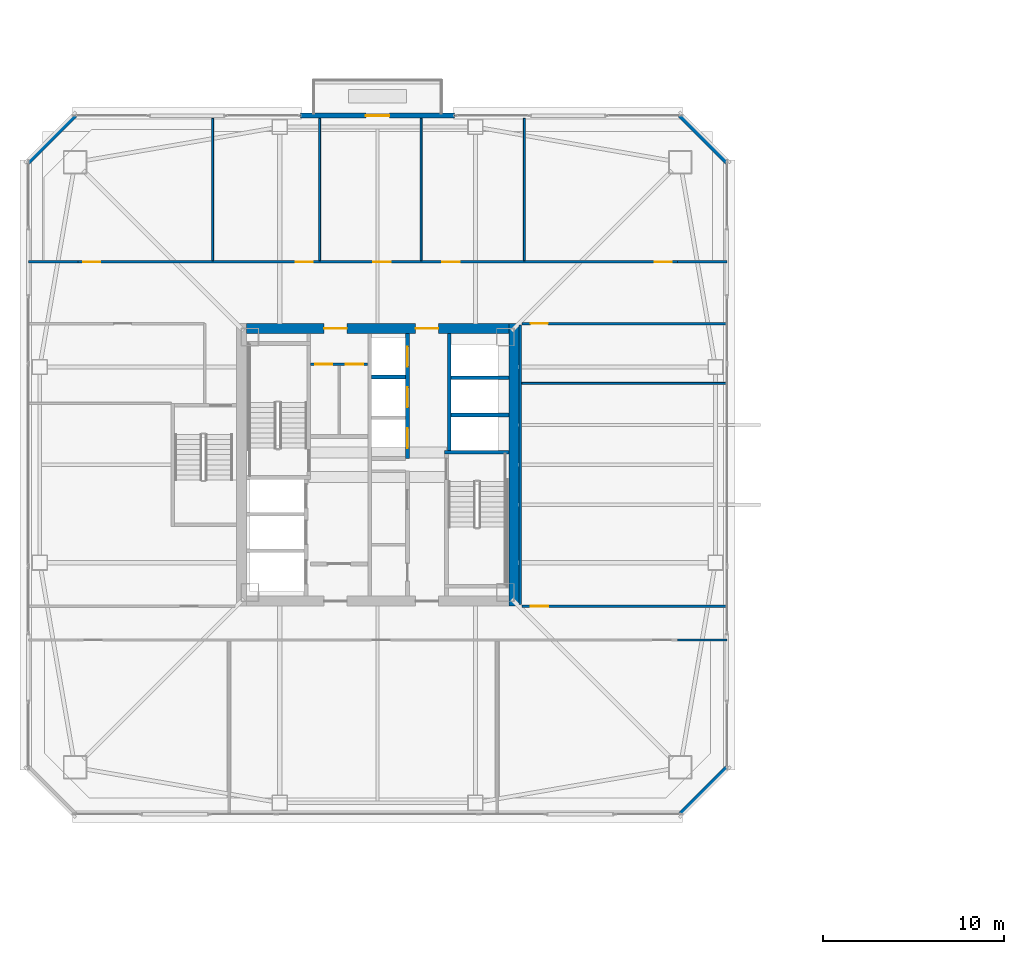
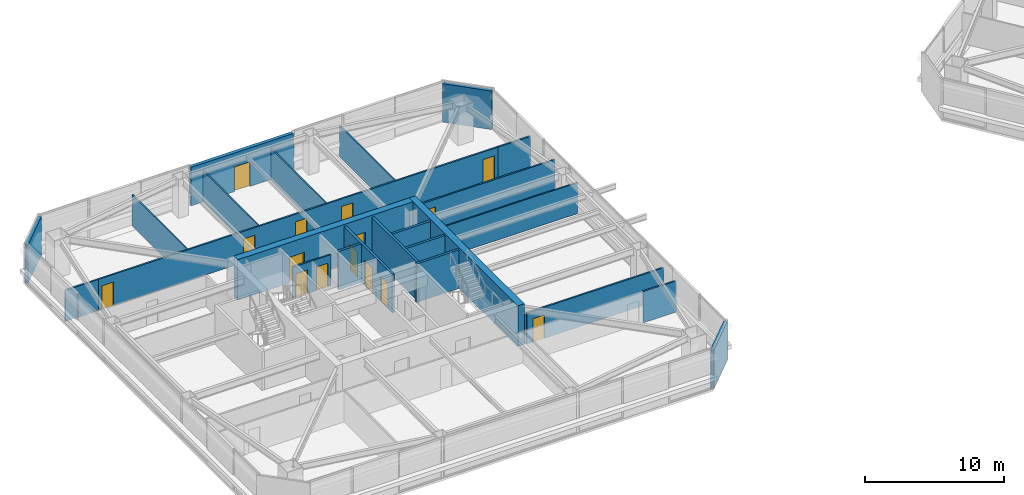
# One storey, part 37 of 46: 25 walls, 15 doors, 15 openings.
"""IFC4 building model written with IfcOpenShell, lengths in metres."""

from ifc_helpers import new_model, si_unit, direction, frame, frame_2d, origin, place, context, subcontext, project, spatial, rectangle, extrude, material, layer, layer_set, type_object, element, fill, save


model = new_model("IFC4")

# Units and contexts
model_context = context("Model", 3, precision=1e-05, world=origin(), true_north=direction((0.0, 1.0)))
body_context = subcontext(model_context, "Body", "Model", "MODEL_VIEW")
ifc_project = project(units=[si_unit("LENGTHUNIT", "METRE"), si_unit("AREAUNIT", "SQUARE_METRE"), si_unit("VOLUMEUNIT", "CUBIC_METRE"), si_unit("PLANEANGLEUNIT", "RADIAN"), si_unit("MASSUNIT", "GRAM", prefix="KILO")], contexts=[model_context])

# Site, building, storey
site_placement = place(None, origin())
site = spatial("IfcSite", under=ifc_project, at=site_placement, CompositionType="ELEMENT")
building_placement = place(site_placement, origin())
building = spatial("IfcBuilding", under=site, at=building_placement, Name="Tashvorn Skyway Center", CompositionType="ELEMENT")
storey_placement = place(building_placement, frame((0.0, 0.0, 139.25)))
storey = spatial("IfcBuildingStorey", under=building, at=storey_placement, Name="L37", CompositionType="ELEMENT", Elevation=139.25)

# Wall
ifc_material_1 = material(Name="Concrete C60/75", Category="concrete")
ifc_layer_1 = layer(ifc_material_1, 0.550048828125)
ifc_layer_set_1 = layer_set([ifc_layer_1], Name="Concrete C60/75")
wall_type_1 = type_object("IfcWallType", Name="WALL-CORE-550", PredefinedType="SHEAR", material=ifc_layer_set_1)
wall_1_placement = place(storey_placement, frame((49.52490234375, 39.800048828125, 0.0), z_axis=(0.0, 0.0, 1.0), x_axis=(0.0, -1.0, 0.0)))
element("IfcWall", 1, at=wall_1_placement, inside=storey, type_object=wall_type_1, Name="Tower 1 L37 East Core Shear Wall", PredefinedType="SHEAR", context=body_context, shape_type="SweptSolid", body=[
    extrude(rectangle(XDim=15.60009765625, YDim=0.550048828125, at=frame_2d((7.800048828125, 0.0))), origin(), (0.0, 0.0, 1.0), 3.550048828125),
])

# Wall, openings, doors
wall_2_placement = place(storey_placement, frame((34.75, 39.52490234375, 0.0), z_axis=(0.0, 0.0, 1.0), x_axis=(1.0, 0.0, 0.0)))
wall_2 = element("IfcWall", 2, at=wall_2_placement, inside=storey, type_object=wall_type_1, Name="Tower 1 L37 North Core Shear Wall", PredefinedType="SHEAR", context=body_context, shape_type="SweptSolid", body=[
    extrude(rectangle(XDim=14.5, YDim=0.550048828125, at=frame_2d((7.25, 0.0))), origin(), (0.0, 0.0, 1.0), 3.550048828125),
])
opening_1_placement = place(wall_2_placement, frame((4.300048828125, 0.0, 0.0)))
opening_1 = element("IfcOpeningElement", 3, at=opening_1_placement, cuts=wall_2, Name="Opening D-FFL-1250", PredefinedType="OPENING", context=body_context, shape_type="SweptSolid", body=[
    extrude(rectangle(XDim=1.25, YDim=2.25, at=frame_2d((0.625, 1.125))), frame((0.0, 0.284912109375, 0.0), z_axis=(0.0, -1.0, 0.0), x_axis=(1.0, 0.0, 0.0)), (0.0, 0.0, 1.0), 0.570068359375),
])
opening_2_placement = place(wall_2_placement, frame((9.35009765625, 0.0, 0.0)))
opening_2 = element("IfcOpeningElement", 4, at=opening_2_placement, cuts=wall_2, Name="Opening D-FFL-1250", PredefinedType="OPENING", context=body_context, shape_type="SweptSolid", body=[
    extrude(rectangle(XDim=1.25, YDim=2.25, at=frame_2d((0.625, 1.125))), frame((0.0, 0.284912109375, 0.0), z_axis=(0.0, -1.0, 0.0), x_axis=(1.0, 0.0, 0.0)), (0.0, 0.0, 1.0), 0.570068359375),
])
ifc_material_2 = material(Name="Hollow galvanized steel fire door assembly", Category="steel")
door_type_1 = type_object("IfcDoorType", Name="DOOR-FFL-1250", OperationType="NOTDEFINED", PredefinedType="DOOR", material=ifc_material_2)
door_1_placement = place(opening_1_placement, origin())
door_1 = element("IfcDoor", 5, at=door_1_placement, inside=storey, type_object=door_type_1, Name="Tower 1 L37 Core North Service Lobby Door", OperationType="SINGLE_SWING_LEFT", OverallHeight=2.25, OverallWidth=1.25, PredefinedType="DOOR", context=body_context, shape_type="SweptSolid", body=[
    extrude(rectangle(XDim=1.25, YDim=2.25, at=frame_2d((0.625, 1.125))), frame((0.0, 0.02490234375, 0.0), z_axis=(0.0, -1.0, 0.0), x_axis=(1.0, 0.0, 0.0)), (0.0, 0.0, 1.0), 0.050048828125),
])
fill(opening_1, door_1)
door_2_placement = place(opening_2_placement, origin())
door_2 = element("IfcDoor", 6, at=door_2_placement, inside=storey, type_object=door_type_1, Name="Tower 1 L37 Core North Lift Lobby Door", OperationType="SINGLE_SWING_RIGHT", OverallHeight=2.25, OverallWidth=1.25, PredefinedType="DOOR", context=body_context, shape_type="SweptSolid", body=[
    extrude(rectangle(XDim=1.25, YDim=2.25, at=frame_2d((0.625, 1.125))), frame((0.0, 0.02490234375, 0.0), z_axis=(0.0, -1.0, 0.0), x_axis=(1.0, 0.0, 0.0)), (0.0, 0.0, 1.0), 0.050048828125),
])
fill(opening_2, door_2)

# Wall, opening, door
ifc_material_3 = material(Name="Precast concrete C40/50", Category="concrete")
ifc_layer_2 = layer(ifc_material_3, 0.280029296875)
ifc_layer_set_2 = layer_set([ifc_layer_2], Name="Precast concrete C40/50")
wall_type_2 = type_object("IfcWallType", Name="WALL-EXT-280", PredefinedType="SOLIDWALL", material=ifc_layer_set_2)
wall_3_placement = place(storey_placement, frame((37.75, 51.280029296875, 0.0), z_axis=(0.0, 0.0, 1.0), x_axis=(1.0, 0.0, 0.0)))
wall_3 = element("IfcWall", 7, at=wall_3_placement, inside=storey, type_object=wall_type_2, Name="Tower 1 L37 North Terrace Portal Wall", PredefinedType="SOLIDWALL", context=body_context, shape_type="SweptSolid", body=[
    extrude(rectangle(XDim=8.5, YDim=0.280029296875, at=frame_2d((4.25, 0.0))), origin(), (0.0, 0.0, 1.0), 3.3701171875),
])
opening_3_placement = place(wall_3_placement, frame((3.60009765625, 0.0, 0.0)))
opening_3 = element("IfcOpeningElement", 8, at=opening_3_placement, cuts=wall_3, Name="Opening D-TER-1300", PredefinedType="OPENING", context=body_context, shape_type="SweptSolid", body=[
    extrude(rectangle(XDim=1.300048828125, YDim=2.14990234375, at=frame_2d((0.64990234375, 1.074951171875))), frame((0.0, 0.14990234375, 0.0), z_axis=(0.0, -1.0, 0.0), x_axis=(1.0, 0.0, 0.0)), (0.0, 0.0, 1.0), 0.300048828125),
])
ifc_material_4 = material(Name="Thermally broken bronze-anodized aluminium 6063-T6", Category="aluminium")
door_type_2 = type_object("IfcDoorType", Name="DOOR-TERR-1300", OperationType="NOTDEFINED", PredefinedType="DOOR", material=ifc_material_4)
door_3_placement = place(opening_3_placement, origin())
door_3 = element("IfcDoor", 9, at=door_3_placement, inside=storey, type_object=door_type_2, Name="Tower 1 L37 Terrace Access Door", OperationType="SINGLE_SWING_LEFT", OverallHeight=2.14990234375, OverallWidth=1.300048828125, PredefinedType="DOOR", context=body_context, shape_type="SweptSolid", body=[
    extrude(rectangle(XDim=1.300048828125, YDim=2.14990234375, at=frame_2d((0.64990234375, 1.074951171875))), frame((0.0, 0.02490234375, 0.0), z_axis=(0.0, -1.0, 0.0), x_axis=(1.0, 0.0, 0.0)), (0.0, 0.0, 1.0), 0.050048828125),
])
fill(opening_3, door_3)

# Walls
for number, where, z_axis, x_axis, name in (
    (10, (22.699951171875, 48.699951171875, 0.0), (0.0, 0.0, 1.0), (0.707106781187, 0.707106781187, 0.0), "Tower 1 L37 NW Precast Chamfer Wall"),
    (11, (58.699951171875, 51.300048828125, 0.0), (0.0, 0.0, 1.0), (0.707106781187, -0.707106781187, 0.0), "Tower 1 L37 NE Precast Chamfer Wall"),
    (12, (61.300048828125, 15.300048828125, 0.0), (0.0, 0.0, 1.0), (-0.707106781187, -0.707106781187, 0.0), "Tower 1 L37 SE Precast Chamfer Wall"),
):
    element("IfcWall", number, at=place(storey_placement, frame(where, z_axis=z_axis, x_axis=x_axis)), inside=storey, type_object=wall_type_2, Name=name, PredefinedType="SOLIDWALL", context=body_context, shape_type="SweptSolid", body=[
        extrude(rectangle(XDim=3.677001953125, YDim=0.280029296875, at=frame_2d((1.83837890625, 0.0))), origin(), (0.0, 0.0, 1.0), 3.3701171875),
    ])
ifc_material_5 = material(Name="Gypsum board on cold-formed steel stud framing", Category="steel")
ifc_layer_3 = layer(ifc_material_5, 0.110107421875)
ifc_layer_set_3 = layer_set([ifc_layer_3], Name="Gypsum board on cold-formed steel stud framing")
wall_type_3 = type_object("IfcWallType", Name="WALL-PART-110", PredefinedType="PARTITIONING", material=ifc_layer_set_3)
for number, where, z_axis, x_axis, name in (
    (13, (32.89990234375, 43.280029296875, 0.0), (0.0, 0.0, 1.0), (0.0, 1.0, 0.0), "Tower 1 L37 North Suite Partition 1"),
    (14, (38.800048828125, 43.280029296875, 0.0), (0.0, 0.0, 1.0), (0.0, 1.0, 0.0), "Tower 1 L37 North Suite Partition 2"),
    (15, (44.39990234375, 43.280029296875, 0.0), (0.0, 0.0, 1.0), (0.0, 1.0, 0.0), "Tower 1 L37 North Suite Partition 3"),
    (16, (50.10009765625, 43.280029296875, 0.0), (0.0, 0.0, 1.0), (0.0, 1.0, 0.0), "Tower 1 L37 North Suite Partition 4"),
):
    element("IfcWall", number, at=place(storey_placement, frame(where, z_axis=z_axis, x_axis=x_axis)), inside=storey, type_object=wall_type_3, Name=name, PredefinedType="PARTITIONING", context=body_context, shape_type="SweptSolid", body=[
        extrude(rectangle(XDim=7.849853515625, YDim=0.110107421875, at=frame_2d((3.9248046875, 0.0))), origin(), (0.0, 0.0, 1.0), 2.722900390625),
    ])
wall_4_placement = place(storey_placement, frame((49.9599609375, 36.5, 0.0), z_axis=(0.0, 0.0, 1.0), x_axis=(1.0, 0.0, 0.0)))
element("IfcWall", 17, at=wall_4_placement, inside=storey, type_object=wall_type_3, Name="Tower 1 L37 East Mid Partition", PredefinedType="PARTITIONING", context=body_context, shape_type="SweptSolid", body=[
    extrude(rectangle(XDim=11.320068359375, YDim=0.110107421875, at=frame_2d((5.66015625, 0.0))), origin(), (0.0, 0.0, 1.0), 2.722900390625),
])

# Wall, openings, doors
ifc_layer_4 = layer(ifc_material_5, 0.135009765625)
ifc_layer_set_4 = layer_set([ifc_layer_4], Name="Gypsum board on cold-formed steel stud framing")
wall_type_4 = type_object("IfcWallType", Name="WALL-PART-135", PredefinedType="PARTITIONING", material=ifc_layer_set_4)
wall_5_placement = place(storey_placement, frame((25.449951171875, 43.199951171875, 0.0), z_axis=(0.0, 0.0, 1.0), x_axis=(1.0, 0.0, 0.0)))
wall_5 = element("IfcWall", 18, at=wall_5_placement, inside=storey, type_object=wall_type_4, Name="Tower 1 L37 North Suite Wall", PredefinedType="PARTITIONING", context=body_context, shape_type="SweptSolid", body=[
    extrude(rectangle(XDim=33.10009765625, YDim=0.135009765625, at=frame_2d((16.550048828125, 0.0))), origin(), (0.0, 0.0, 1.0), 2.722900390625),
])
opening_4_placement = place(wall_5_placement, frame((0.300048828125, 0.0, 0.0)))
opening_4 = element("IfcOpeningElement", 19, at=opening_4_placement, cuts=wall_5, Name="Opening D-INT-950", PredefinedType="OPENING", context=body_context, shape_type="SweptSolid", body=[
    extrude(rectangle(XDim=0.949951171875, YDim=2.050048828125, at=frame_2d((0.47509765625, 1.02490234375))), frame((0.0, 0.077392578125, 0.0), z_axis=(0.0, -1.0, 0.0), x_axis=(1.0, 0.0, 0.0)), (0.0, 0.0, 1.0), 0.155029296875),
])
opening_5_placement = place(wall_5_placement, frame((12.02001953125, 0.0, 0.0)))
opening_5 = element("IfcOpeningElement", 20, at=opening_5_placement, cuts=wall_5, Name="Opening D-INT-950", PredefinedType="OPENING", context=body_context, shape_type="SweptSolid", body=[
    extrude(rectangle(XDim=0.949951171875, YDim=2.050048828125, at=frame_2d((0.47509765625, 1.02490234375))), frame((0.0, 0.077392578125, 0.0), z_axis=(0.0, -1.0, 0.0), x_axis=(1.0, 0.0, 0.0)), (0.0, 0.0, 1.0), 0.155029296875),
])
opening_6_placement = place(wall_5_placement, frame((16.3232421875, 0.0, 0.0)))
opening_6 = element("IfcOpeningElement", 21, at=opening_6_placement, cuts=wall_5, Name="Opening D-INT-950", PredefinedType="OPENING", context=body_context, shape_type="SweptSolid", body=[
    extrude(rectangle(XDim=0.949951171875, YDim=2.050048828125, at=frame_2d((0.47509765625, 1.02490234375))), frame((0.0, 0.077392578125, 0.0), z_axis=(0.0, -1.0, 0.0), x_axis=(1.0, 0.0, 0.0)), (0.0, 0.0, 1.0), 0.155029296875),
])
opening_7_placement = place(wall_5_placement, frame((20.1279296875, 0.0, 0.0)))
opening_7 = element("IfcOpeningElement", 22, at=opening_7_placement, cuts=wall_5, Name="Opening D-INT-950", PredefinedType="OPENING", context=body_context, shape_type="SweptSolid", body=[
    extrude(rectangle(XDim=0.949951171875, YDim=2.050048828125, at=frame_2d((0.47509765625, 1.02490234375))), frame((0.0, 0.077392578125, 0.0), z_axis=(0.0, -1.0, 0.0), x_axis=(1.0, 0.0, 0.0)), (0.0, 0.0, 1.0), 0.155029296875),
])
opening_8_placement = place(wall_5_placement, frame((31.85009765625, 0.0, 0.0)))
opening_8 = element("IfcOpeningElement", 23, at=opening_8_placement, cuts=wall_5, Name="Opening D-INT-950", PredefinedType="OPENING", context=body_context, shape_type="SweptSolid", body=[
    extrude(rectangle(XDim=0.949951171875, YDim=2.050048828125, at=frame_2d((0.47509765625, 1.02490234375))), frame((0.0, 0.077392578125, 0.0), z_axis=(0.0, -1.0, 0.0), x_axis=(1.0, 0.0, 0.0)), (0.0, 0.0, 1.0), 0.155029296875),
])
ifc_material_6 = material(Name="Solid-core architectural oak veneer door")
door_type_3 = type_object("IfcDoorType", Name="DOOR-INT-950", OperationType="NOTDEFINED", PredefinedType="DOOR", material=ifc_material_6)
door_4_placement = place(opening_4_placement, origin())
door_4 = element("IfcDoor", 24, at=door_4_placement, inside=storey, type_object=door_type_3, Name="Tower 1 L37 Research Library Door", OperationType="SINGLE_SWING_RIGHT", OverallHeight=2.050048828125, OverallWidth=0.949951171875, PredefinedType="DOOR", context=body_context, shape_type="SweptSolid", body=[
    extrude(rectangle(XDim=0.949951171875, YDim=2.050048828125, at=frame_2d((0.47509765625, 1.02490234375))), frame((0.0, 0.02490234375, 0.0), z_axis=(0.0, -1.0, 0.0), x_axis=(1.0, 0.0, 0.0)), (0.0, 0.0, 1.0), 0.050048828125),
])
fill(opening_4, door_4)
door_5_placement = place(opening_5_placement, origin())
door_5 = element("IfcDoor", 25, at=door_5_placement, inside=storey, type_object=door_type_3, Name="Tower 1 L37 Research Library Door", OperationType="SINGLE_SWING_LEFT", OverallHeight=2.050048828125, OverallWidth=0.949951171875, PredefinedType="DOOR", context=body_context, shape_type="SweptSolid", body=[
    extrude(rectangle(XDim=0.949951171875, YDim=2.050048828125, at=frame_2d((0.47509765625, 1.02490234375))), frame((0.0, 0.02490234375, 0.0), z_axis=(0.0, -1.0, 0.0), x_axis=(1.0, 0.0, 0.0)), (0.0, 0.0, 1.0), 0.050048828125),
])
fill(opening_5, door_5)
door_6_placement = place(opening_6_placement, origin())
door_6 = element("IfcDoor", 26, at=door_6_placement, inside=storey, type_object=door_type_3, Name="Tower 1 L37 Security Control Room Door", OperationType="SINGLE_SWING_RIGHT", OverallHeight=2.050048828125, OverallWidth=0.949951171875, PredefinedType="DOOR", context=body_context, shape_type="SweptSolid", body=[
    extrude(rectangle(XDim=0.949951171875, YDim=2.050048828125, at=frame_2d((0.47509765625, 1.02490234375))), frame((0.0, 0.02490234375, 0.0), z_axis=(0.0, -1.0, 0.0), x_axis=(1.0, 0.0, 0.0)), (0.0, 0.0, 1.0), 0.050048828125),
])
fill(opening_6, door_6)
door_7_placement = place(opening_7_placement, origin())
door_7 = element("IfcDoor", 27, at=door_7_placement, inside=storey, type_object=door_type_3, Name="Tower 1 L37 Research Library Door", OperationType="SINGLE_SWING_LEFT", OverallHeight=2.050048828125, OverallWidth=0.949951171875, PredefinedType="DOOR", context=body_context, shape_type="SweptSolid", body=[
    extrude(rectangle(XDim=0.949951171875, YDim=2.050048828125, at=frame_2d((0.47509765625, 1.02490234375))), frame((0.0, 0.02490234375, 0.0), z_axis=(0.0, -1.0, 0.0), x_axis=(1.0, 0.0, 0.0)), (0.0, 0.0, 1.0), 0.050048828125),
])
fill(opening_7, door_7)
door_8_placement = place(opening_8_placement, origin())
door_8 = element("IfcDoor", 28, at=door_8_placement, inside=storey, type_object=door_type_3, Name="Tower 1 L37 Research Library Door", OperationType="SINGLE_SWING_RIGHT", OverallHeight=2.050048828125, OverallWidth=0.949951171875, PredefinedType="DOOR", context=body_context, shape_type="SweptSolid", body=[
    extrude(rectangle(XDim=0.949951171875, YDim=2.050048828125, at=frame_2d((0.47509765625, 1.02490234375))), frame((0.0, 0.02490234375, 0.0), z_axis=(0.0, -1.0, 0.0), x_axis=(1.0, 0.0, 0.0)), (0.0, 0.0, 1.0), 0.050048828125),
])
fill(opening_8, door_8)

# Walls
for number, where, z_axis, x_axis, name in (
    (29, (22.719970703125, 43.199951171875, 0.0), (0.0, 0.0, 1.0), (1.0, 0.0, 0.0), "Tower 1 L37 North-West Suite South Wall"),
    (30, (58.550048828125, 43.199951171875, 0.0), (0.0, 0.0, 1.0), (1.0, 0.0, 0.0), "Tower 1 L37 North-East Suite South Wall"),
    (31, (58.550048828125, 22.330078125, 0.0), (0.0, 0.0, 1.0), (1.0, 0.0, 0.0), "Tower 1 L37 South-East Suite North Wall"),
):
    element("IfcWall", number, at=place(storey_placement, frame(where, z_axis=z_axis, x_axis=x_axis)), inside=storey, type_object=wall_type_4, Name=name, PredefinedType="PARTITIONING", context=body_context, shape_type="SweptSolid", body=[
        extrude(rectangle(XDim=2.72998046875, YDim=0.135009765625, at=frame_2d((1.364990234375, 0.0))), origin(), (0.0, 0.0, 1.0), 2.722900390625),
    ])
wall_6_placement = place(storey_placement, frame((49.8798828125, 39.719970703125, 0.0), z_axis=(0.0, 0.0, 1.0), x_axis=(0.0, -1.0, 0.0)))
element("IfcWall", 32, at=wall_6_placement, inside=storey, type_object=wall_type_4, Name="Tower 1 L37 East Inner Suite Wall", PredefinedType="PARTITIONING", context=body_context, shape_type="SweptSolid", body=[
    extrude(rectangle(XDim=15.43994140625, YDim=0.135009765625, at=frame_2d((7.719970703125, 0.0))), origin(), (0.0, 0.0, 1.0), 2.722900390625),
])

# Wall, opening, door
wall_7_placement = place(storey_placement, frame((61.280029296875, 39.800048828125, 0.0), z_axis=(0.0, 0.0, 1.0), x_axis=(-1.0, 0.0, 0.0)))
wall_7 = element("IfcWall", 33, at=wall_7_placement, inside=storey, type_object=wall_type_4, Name="Tower 1 L37 East Suite North Wall", PredefinedType="PARTITIONING", context=body_context, shape_type="SweptSolid", body=[
    extrude(rectangle(XDim=11.320068359375, YDim=0.135009765625, at=frame_2d((5.66015625, 0.0))), origin(), (0.0, 0.0, 1.0), 2.722900390625),
])
opening_9_placement = place(wall_7_placement, frame((9.8798828125, 0.0, 0.0)))
opening_9 = element("IfcOpeningElement", 34, at=opening_9_placement, cuts=wall_7, Name="Opening D-INT-950", PredefinedType="OPENING", context=body_context, shape_type="SweptSolid", body=[
    extrude(rectangle(XDim=0.949951171875, YDim=2.050048828125, at=frame_2d((0.47509765625, 1.02490234375))), frame((0.0, 0.077392578125, 0.0), z_axis=(0.0, -1.0, 0.0), x_axis=(1.0, 0.0, 0.0)), (0.0, 0.0, 1.0), 0.155029296875),
])
door_9_placement = place(opening_9_placement, origin())
door_9 = element("IfcDoor", 35, at=door_9_placement, inside=storey, type_object=door_type_3, Name="Tower 1 L37 Research Library Door", OperationType="SINGLE_SWING_RIGHT", OverallHeight=2.050048828125, OverallWidth=0.949951171875, PredefinedType="DOOR", context=body_context, shape_type="SweptSolid", body=[
    extrude(rectangle(XDim=0.949951171875, YDim=2.050048828125, at=frame_2d((0.47509765625, 1.02490234375))), frame((0.0, 0.02490234375, 0.0), z_axis=(0.0, -1.0, 0.0), x_axis=(1.0, 0.0, 0.0)), (0.0, 0.0, 1.0), 0.050048828125),
])
fill(opening_9, door_9)

wall_8_placement = place(storey_placement, frame((49.9599609375, 24.199951171875, 0.0), z_axis=(0.0, 0.0, 1.0), x_axis=(1.0, 0.0, 0.0)))
wall_8 = element("IfcWall", 36, at=wall_8_placement, inside=storey, type_object=wall_type_4, Name="Tower 1 L37 East Suite South Wall", PredefinedType="PARTITIONING", context=body_context, shape_type="SweptSolid", body=[
    extrude(rectangle(XDim=11.320068359375, YDim=0.135009765625, at=frame_2d((5.66015625, 0.0))), origin(), (0.0, 0.0, 1.0), 2.722900390625),
])
opening_10_placement = place(wall_8_placement, frame((0.5, 0.0, 0.0)))
opening_10 = element("IfcOpeningElement", 37, at=opening_10_placement, cuts=wall_8, Name="Opening D-INT-950", PredefinedType="OPENING", context=body_context, shape_type="SweptSolid", body=[
    extrude(rectangle(XDim=0.949951171875, YDim=2.050048828125, at=frame_2d((0.47509765625, 1.02490234375))), frame((0.0, 0.077392578125, 0.0), z_axis=(0.0, -1.0, 0.0), x_axis=(1.0, 0.0, 0.0)), (0.0, 0.0, 1.0), 0.155029296875),
])
door_10_placement = place(opening_10_placement, origin())
door_10 = element("IfcDoor", 38, at=door_10_placement, inside=storey, type_object=door_type_3, Name="Tower 1 L37 Public Restroom Door", OperationType="SINGLE_SWING_LEFT", OverallHeight=2.050048828125, OverallWidth=0.949951171875, PredefinedType="DOOR", context=body_context, shape_type="SweptSolid", body=[
    extrude(rectangle(XDim=0.949951171875, YDim=2.050048828125, at=frame_2d((0.47509765625, 1.02490234375))), frame((0.0, 0.02490234375, 0.0), z_axis=(0.0, -1.0, 0.0), x_axis=(1.0, 0.0, 0.0)), (0.0, 0.0, 1.0), 0.050048828125),
])
fill(opening_10, door_10)

# Wall, openings, doors
ifc_layer_5 = layer(ifc_material_5, 0.135009765625)
ifc_layer_set_5 = layer_set([ifc_layer_5], Name="Gypsum board on cold-formed steel stud framing")
wall_type_5 = type_object("IfcWallType", Name="WALL-RATED-135", PredefinedType="PARTITIONING", material=ifc_layer_set_5)
wall_9_placement = place(storey_placement, frame((38.300048828125, 37.550048828125, 0.0), z_axis=(0.0, 0.0, 1.0), x_axis=(1.0, 0.0, 0.0)))
wall_9 = element("IfcWall", 39, at=wall_9_placement, inside=storey, type_object=wall_type_5, Name="Tower 1 L37 Core Service Lobby Wall", PredefinedType="PARTITIONING", context=body_context, shape_type="SweptSolid", body=[
    extrude(rectangle(XDim=3.14990234375, YDim=0.135009765625, at=frame_2d((1.574951171875, 0.0))), origin(), (0.0, 0.0, 1.0), 2.722900390625),
])
opening_11_placement = place(wall_9_placement, frame((0.25, 0.0, 0.0)))
opening_11 = element("IfcOpeningElement", 40, at=opening_11_placement, cuts=wall_9, Name="Opening D-RT-950", PredefinedType="OPENING", context=body_context, shape_type="SweptSolid", body=[
    extrude(rectangle(XDim=0.949951171875, YDim=2.050048828125, at=frame_2d((0.47509765625, 1.02490234375))), frame((0.0, 0.077392578125, 0.0), z_axis=(0.0, -1.0, 0.0), x_axis=(1.0, 0.0, 0.0)), (0.0, 0.0, 1.0), 0.155029296875),
])
opening_12_placement = place(wall_9_placement, frame((1.949951171875, 0.0, 0.0)))
opening_12 = element("IfcOpeningElement", 41, at=opening_12_placement, cuts=wall_9, Name="Opening D-RT-950", PredefinedType="OPENING", context=body_context, shape_type="SweptSolid", body=[
    extrude(rectangle(XDim=0.949951171875, YDim=2.050048828125, at=frame_2d((0.47509765625, 1.02490234375))), frame((0.0, 0.077392578125, 0.0), z_axis=(0.0, -1.0, 0.0), x_axis=(1.0, 0.0, 0.0)), (0.0, 0.0, 1.0), 0.155029296875),
])
door_type_4 = type_object("IfcDoorType", Name="DOOR-RATED-950", OperationType="NOTDEFINED", PredefinedType="DOOR", material=ifc_material_2)
door_11_placement = place(opening_11_placement, origin())
door_11 = element("IfcDoor", 42, at=door_11_placement, inside=storey, type_object=door_type_4, Name="Tower 1 L37 Core Accessible WC Door", OperationType="SINGLE_SWING_LEFT", OverallHeight=2.050048828125, OverallWidth=0.949951171875, PredefinedType="DOOR", context=body_context, shape_type="SweptSolid", body=[
    extrude(rectangle(XDim=0.949951171875, YDim=2.050048828125, at=frame_2d((0.47509765625, 1.02490234375))), frame((0.0, 0.02490234375, 0.0), z_axis=(0.0, -1.0, 0.0), x_axis=(1.0, 0.0, 0.0)), (0.0, 0.0, 1.0), 0.050048828125),
])
fill(opening_11, door_11)
door_12_placement = place(opening_12_placement, origin())
door_12 = element("IfcDoor", 43, at=door_12_placement, inside=storey, type_object=door_type_4, Name="Tower 1 L37 Core Cleaner Store Door", OperationType="SINGLE_SWING_RIGHT", OverallHeight=2.050048828125, OverallWidth=0.949951171875, PredefinedType="DOOR", context=body_context, shape_type="SweptSolid", body=[
    extrude(rectangle(XDim=0.949951171875, YDim=2.050048828125, at=frame_2d((0.47509765625, 1.02490234375))), frame((0.0, 0.02490234375, 0.0), z_axis=(0.0, -1.0, 0.0), x_axis=(1.0, 0.0, 0.0)), (0.0, 0.0, 1.0), 0.050048828125),
])
fill(opening_12, door_12)

# Walls
ifc_material_7 = material(Name="Concrete C40/50", Category="concrete")
ifc_layer_6 = layer(ifc_material_7, 0.199951171875)
ifc_layer_set_6 = layer_set([ifc_layer_6], Name="Concrete C40/50")
wall_type_6 = type_object("IfcWallType", Name="WALL-SHAFT-200", PredefinedType="SOLIDWALL", material=ifc_layer_set_6)
for number, where, z_axis, x_axis, name in (
    (44, (46.050048828125, 34.75, 0.0), (0.0, 0.0, 1.0), (1.0, 0.0, 0.0), "Tower 1 L37 High-Rise Shaft Divider"),
    (45, (46.050048828125, 36.800048828125, 0.0), (0.0, 0.0, 1.0), (1.0, 0.0, 0.0), "Tower 1 L37 High-Rise Shaft Divider"),
):
    element("IfcWall", number, at=place(storey_placement, frame(where, z_axis=z_axis, x_axis=x_axis)), inside=storey, type_object=wall_type_6, Name=name, PredefinedType="SOLIDWALL", context=body_context, shape_type="SweptSolid", body=[
        extrude(rectangle(XDim=3.199951171875, YDim=0.199951171875, at=frame_2d((1.60009765625, 0.0))), origin(), (0.0, 0.0, 1.0), 3.3701171875),
    ])

# Wall, openings, doors
wall_10_placement = place(storey_placement, frame((43.64990234375, 32.35009765625, 0.0), z_axis=(0.0, 0.0, 1.0), x_axis=(0.0, 1.0, 0.0)))
wall_10 = element("IfcWall", 46, at=wall_10_placement, inside=storey, type_object=wall_type_6, Name="Tower 1 L37 Mid-Rise Core Wall", PredefinedType="SOLIDWALL", context=body_context, shape_type="SweptSolid", body=[
    extrude(rectangle(XDim=6.89990234375, YDim=0.199951171875, at=frame_2d((3.449951171875, 0.0))), origin(), (0.0, 0.0, 1.0), 3.3701171875),
])
opening_13_placement = place(wall_10_placement, frame((0.574951171875, 0.0, 0.0)))
opening_13 = element("IfcOpeningElement", 47, at=opening_13_placement, cuts=wall_10, Name="Opening LD-MR-T1-1-L37", PredefinedType="OPENING", context=body_context, shape_type="SweptSolid", body=[
    extrude(rectangle(XDim=1.10009765625, YDim=2.199951171875, at=frame_2d((0.550048828125, 1.10009765625))), frame((0.0, 0.10986328125, 0.0), z_axis=(0.0, -1.0, 0.0), x_axis=(1.0, 0.0, 0.0)), (0.0, 0.0, 1.0), 0.219970703125),
])
opening_14_placement = place(wall_10_placement, frame((2.824951171875, 0.0, 0.0)))
opening_14 = element("IfcOpeningElement", 48, at=opening_14_placement, cuts=wall_10, Name="Opening LD-MR-T1-2-L37", PredefinedType="OPENING", context=body_context, shape_type="SweptSolid", body=[
    extrude(rectangle(XDim=1.10009765625, YDim=2.199951171875, at=frame_2d((0.550048828125, 1.10009765625))), frame((0.0, 0.10986328125, 0.0), z_axis=(0.0, -1.0, 0.0), x_axis=(1.0, 0.0, 0.0)), (0.0, 0.0, 1.0), 0.219970703125),
])
opening_15_placement = place(wall_10_placement, frame((5.074951171875, 0.0, 0.0)))
opening_15 = element("IfcOpeningElement", 49, at=opening_15_placement, cuts=wall_10, Name="Opening LD-MR-T1-3-L37", PredefinedType="OPENING", context=body_context, shape_type="SweptSolid", body=[
    extrude(rectangle(XDim=1.10009765625, YDim=2.199951171875, at=frame_2d((0.550048828125, 1.10009765625))), frame((0.0, 0.10986328125, 0.0), z_axis=(0.0, -1.0, 0.0), x_axis=(1.0, 0.0, 0.0)), (0.0, 0.0, 1.0), 0.219970703125),
])
ifc_material_8 = material(Name="Stainless steel landing door", Category="steel")
door_type_5 = type_object("IfcDoorType", Name="DOOR-LIFT-1100", OperationType="SLIDING_TO_LEFT", PredefinedType="DOOR", material=ifc_material_8)
door_13_placement = place(opening_13_placement, origin())
door_13 = element("IfcDoor", 50, at=door_13_placement, inside=storey, type_object=door_type_5, Name="Lift MR-T1-1 L37 Landing Door", OperationType="SLIDING_TO_LEFT", OverallHeight=2.199951171875, OverallWidth=1.10009765625, PredefinedType="DOOR", context=body_context, shape_type="SweptSolid", body=[
    extrude(rectangle(XDim=1.10009765625, YDim=2.199951171875, at=frame_2d((0.550048828125, 1.10009765625))), frame((0.0, 0.02490234375, 0.0), z_axis=(0.0, -1.0, 0.0), x_axis=(1.0, 0.0, 0.0)), (0.0, 0.0, 1.0), 0.050048828125),
])
fill(opening_13, door_13)
door_14_placement = place(opening_14_placement, origin())
door_14 = element("IfcDoor", 51, at=door_14_placement, inside=storey, type_object=door_type_5, Name="Lift MR-T1-2 L37 Landing Door", OperationType="SLIDING_TO_LEFT", OverallHeight=2.199951171875, OverallWidth=1.10009765625, PredefinedType="DOOR", context=body_context, shape_type="SweptSolid", body=[
    extrude(rectangle(XDim=1.10009765625, YDim=2.199951171875, at=frame_2d((0.550048828125, 1.10009765625))), frame((0.0, 0.02490234375, 0.0), z_axis=(0.0, -1.0, 0.0), x_axis=(1.0, 0.0, 0.0)), (0.0, 0.0, 1.0), 0.050048828125),
])
fill(opening_14, door_14)
door_15_placement = place(opening_15_placement, origin())
door_15 = element("IfcDoor", 52, at=door_15_placement, inside=storey, type_object=door_type_5, Name="Lift MR-T1-3 L37 Landing Door", OperationType="SLIDING_TO_LEFT", OverallHeight=2.199951171875, OverallWidth=1.10009765625, PredefinedType="DOOR", context=body_context, shape_type="SweptSolid", body=[
    extrude(rectangle(XDim=1.10009765625, YDim=2.199951171875, at=frame_2d((0.550048828125, 1.10009765625))), frame((0.0, 0.02490234375, 0.0), z_axis=(0.0, -1.0, 0.0), x_axis=(1.0, 0.0, 0.0)), (0.0, 0.0, 1.0), 0.050048828125),
])
fill(opening_15, door_15)

# Walls
wall_11_placement = place(storey_placement, frame((41.669921875, 36.85009765625, 0.0), z_axis=(0.0, 0.0, 1.0), x_axis=(1.0, 0.0, 0.0)))
element("IfcWall", 53, at=wall_11_placement, inside=storey, type_object=wall_type_6, Name="Tower 1 L37 Mid-Rise Shaft Divider", PredefinedType="SOLIDWALL", context=body_context, shape_type="SweptSolid", body=[
    extrude(rectangle(XDim=1.880126953125, YDim=0.199951171875, at=frame_2d((0.93994140625, 0.0))), origin(), (0.0, 0.0, 1.0), 3.3701171875),
])
ifc_layer_7 = layer(ifc_material_7, 0.199951171875)
ifc_layer_set_7 = layer_set([ifc_layer_7], Name="Concrete C40/50")
wall_type_7 = type_object("IfcWallType", Name="WALL-STSHF-200", PredefinedType="SHEAR", material=ifc_layer_set_7)
wall_12_placement = place(storey_placement, frame((45.699951171875, 32.699951171875, 0.0), z_axis=(0.0, 0.0, 1.0), x_axis=(1.0, 0.0, 0.0)))
element("IfcWall", 54, at=wall_12_placement, inside=storey, type_object=wall_type_7, Name="Tower 1 L37 Stair 2 North Wall", PredefinedType="SHEAR", context=body_context, shape_type="SweptSolid", body=[
    extrude(rectangle(XDim=3.550048828125, YDim=0.199951171875, at=frame_2d((1.77490234375, 0.0))), origin(), (0.0, 0.0, 1.0), 3.3701171875),
])
wall_13_placement = place(storey_placement, frame((45.949951171875, 39.25, 0.0), z_axis=(0.0, 0.0, 1.0), x_axis=(0.0, -1.0, 0.0)))
element("IfcWall", 55, at=wall_13_placement, inside=storey, type_object=wall_type_7, Name="Tower 1 L37 High-Rise Lift Shaft Front Wall", PredefinedType="SHEAR", context=body_context, shape_type="SweptSolid", body=[
    extrude(rectangle(XDim=6.449951171875, YDim=0.199951171875, at=frame_2d((3.22509765625, 0.0))), origin(), (0.0, 0.0, 1.0), 3.3701171875),
])

save(model, "model.ifc")
